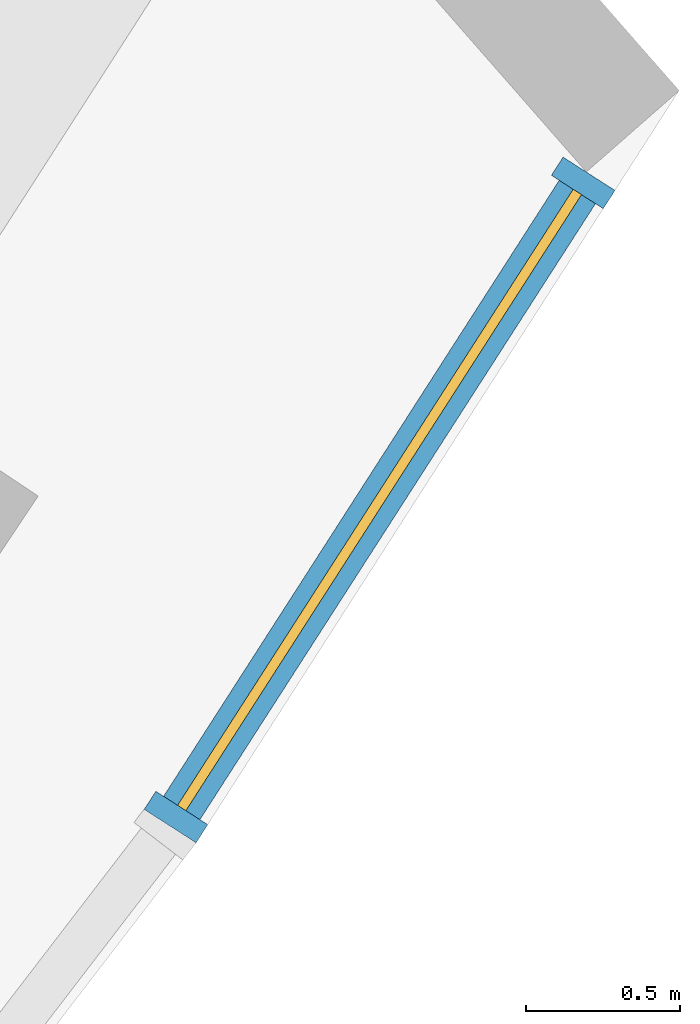
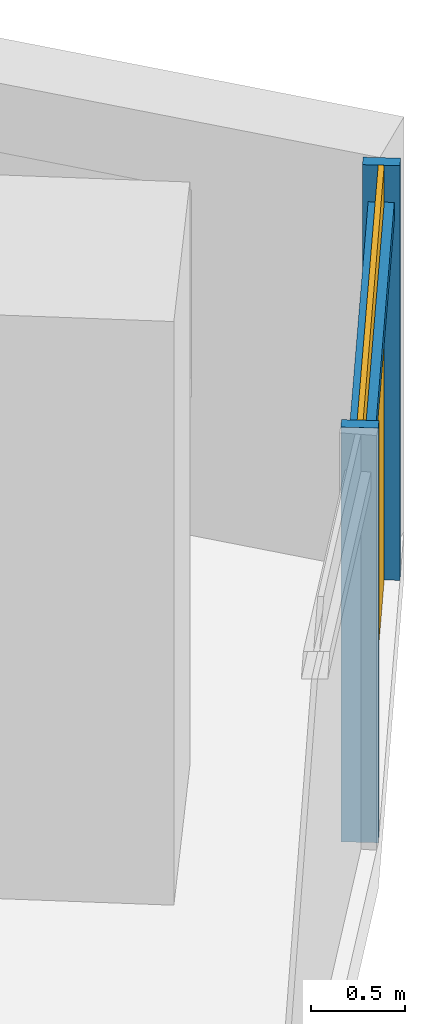
# One storey, part 25 of 30: 3 members, 1 curtain wall.
"""IFC4 building model written with IfcOpenShell, lengths in metres."""

from ifc_helpers import new_model, si_unit, direction, frame, origin, origin_2d, place, context, subcontext, project, spatial, rectangle, extrude, material, material_profile, profile_set, type_object, element, aggregate, save


model = new_model("IFC4")

# Units and contexts
model_context = context("Model", 3, precision=1e-05, world=origin(), true_north=direction((0.0, 1.0)))
body_context = subcontext(model_context, "Body", "Model", "MODEL_VIEW")
ifc_project = project(units=[si_unit("LENGTHUNIT", "METRE"), si_unit("AREAUNIT", "SQUARE_METRE"), si_unit("VOLUMEUNIT", "CUBIC_METRE"), si_unit("PLANEANGLEUNIT", "RADIAN"), si_unit("MASSUNIT", "GRAM", prefix="KILO")], contexts=[model_context])

# Member
ifc_material = material(Name="Aluminium 6063-T6 anodised", Category="aluminium")
ifc_material_profile_1 = material_profile(ifc_material, rectangle(XDim=0.199951171875, YDim=0.070068359375, at=origin_2d()))
ifc_profile_set_1 = profile_set([ifc_material_profile_1], Name="Aluminium 6063-T6 anodised")
member_type_1 = type_object("IfcMemberType", Name="Mullion 70 x 200 aluminium", PredefinedType="MULLION", material=ifc_profile_set_1)
site_placement = place(None, origin())
building_placement = place(site_placement, origin())
storey_placement = place(building_placement, frame((0.0, 0.0, 67.10009765625)))
member_1_placement = place(storey_placement, frame((66.161376953125, -44.167724609375, 0.0), z_axis=(0.0, 0.0, 1.0), x_axis=(-0.841438709964, 0.540352567658, 0.0)))
member_1 = element("IfcMember", 1, at=member_1_placement, type_object=member_type_1, Name="e-cw1-L13-out16/M00", PredefinedType="MULLION", context=body_context, shape_type="SweptSolid", body=[
    extrude(rectangle(XDim=0.199951171875, YDim=0.070068359375, at=origin_2d()), origin(), (0.0, 0.0, 1.0), 2.699951171875),
])

member_2_placement = place(storey_placement, frame((67.4814453125, -42.112060546875, 0.0), z_axis=(0.0, 0.0, 1.0), x_axis=(-0.841438709964, 0.540352567658, 0.0)))
member_2 = element("IfcMember", 2, at=member_2_placement, type_object=member_type_1, Name="e-cw1-L13-out16/M01", PredefinedType="MULLION", context=body_context, shape_type="SweptSolid", body=[
    extrude(rectangle(XDim=0.199951171875, YDim=0.070068359375, at=origin_2d()), origin(), (0.0, 0.0, 1.0), 2.699951171875),
])

ifc_material_profile_2 = material_profile(ifc_material, rectangle(XDim=0.139892578125, YDim=0.1201171875, at=origin_2d()))
ifc_profile_set_2 = profile_set([ifc_material_profile_2], Name="Aluminium 6063-T6 anodised")
member_type_2 = type_object("IfcMemberType", Name="Transom 120 x 140 aluminium", PredefinedType="USERDEFINED", material=ifc_profile_set_2)
member_3_placement = place(storey_placement, frame((66.18017578125, -44.13818359375, 2.39990234375), z_axis=(0.540372722658, 0.841425766546, 0.0), x_axis=(-0.841425766546, 0.540372722658, 0.0)))
member_3 = element("IfcMember", 3, at=member_3_placement, type_object=member_type_2, Name="e-cw1-L13-out16/T00", ObjectType="TRANSOM", PredefinedType="USERDEFINED", context=body_context, shape_type="SweptSolid", body=[
    extrude(rectangle(XDim=0.139892578125, YDim=0.1201171875, at=origin_2d()), origin(), (0.0, 0.0, 1.0), 2.372802734375),
])

# Site, building, storey
site = spatial("IfcSite", under=ifc_project, at=site_placement, CompositionType="ELEMENT")
building = spatial("IfcBuilding", under=site, at=building_placement, Name="Qamariyya Broadcast Tower", CompositionType="ELEMENT")
storey = spatial("IfcBuildingStorey", under=building, at=storey_placement, Name="L13", CompositionType="ELEMENT", Elevation=67.10009765625)

# Curtain wall
curtain_wall_type = type_object("IfcCurtainWallType", Name="Unitised curtain wall, anodised aluminium", PredefinedType="NOTDEFINED", material=ifc_material)
curtain_wall_placement = place(storey_placement, origin())
curtain_wall = element("IfcCurtainWall", 4, at=curtain_wall_placement, inside=storey, type_object=curtain_wall_type, Name="e-cw1-L13-out16", PredefinedType="NOTDEFINED", context=body_context, shape_type="SweptSolid", body=[
    extrude(rectangle(XDim=2.372802734375, YDim=0.031982421875, at=origin_2d()), frame((66.8212890625, -43.139892578125, 0.0), x_axis=(0.540403979319, 0.84140569236, 0.0)), (0.0, 0.0, 1.0), 2.340087890625),
    extrude(rectangle(XDim=2.372802734375, YDim=0.031982421875, at=origin_2d()), frame((66.8212890625, -43.139892578125, 2.4599609375), x_axis=(0.540403979319, 0.84140569236, 0.0)), (0.0, 0.0, 1.0), 0.239990234375),
])

aggregate(curtain_wall, [member_1, member_2, member_3])

save(model, "model.ifc")
